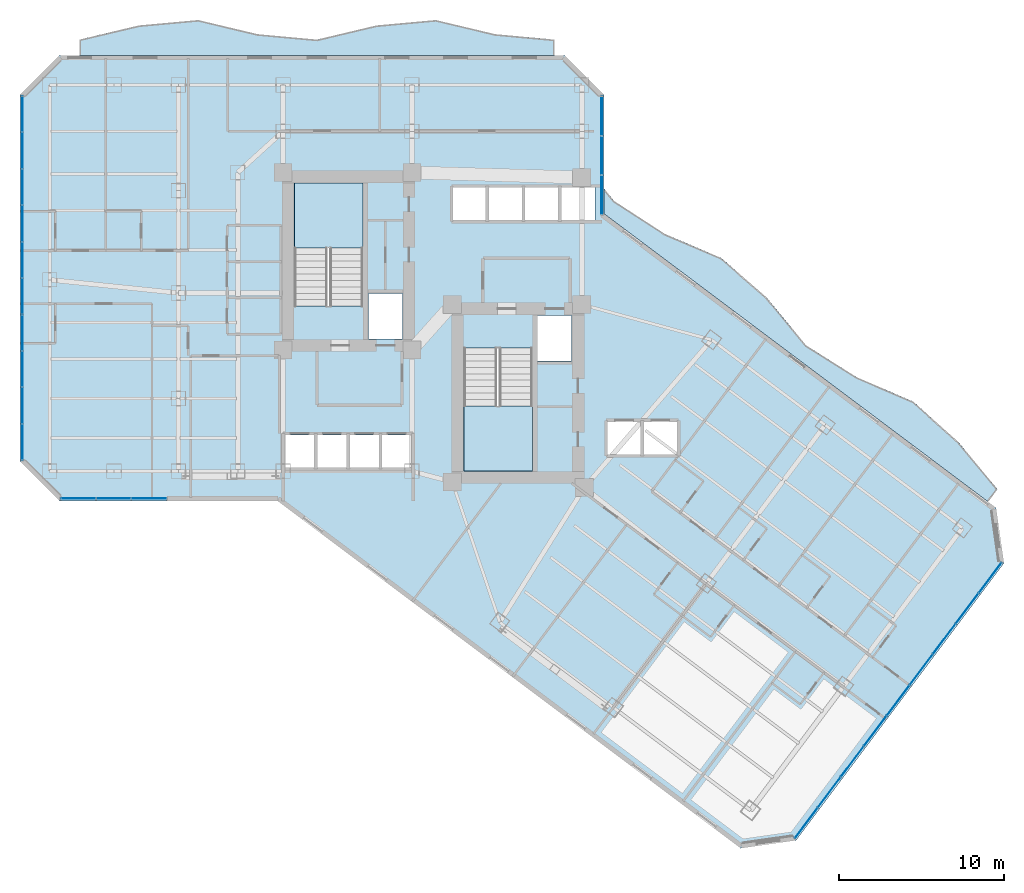
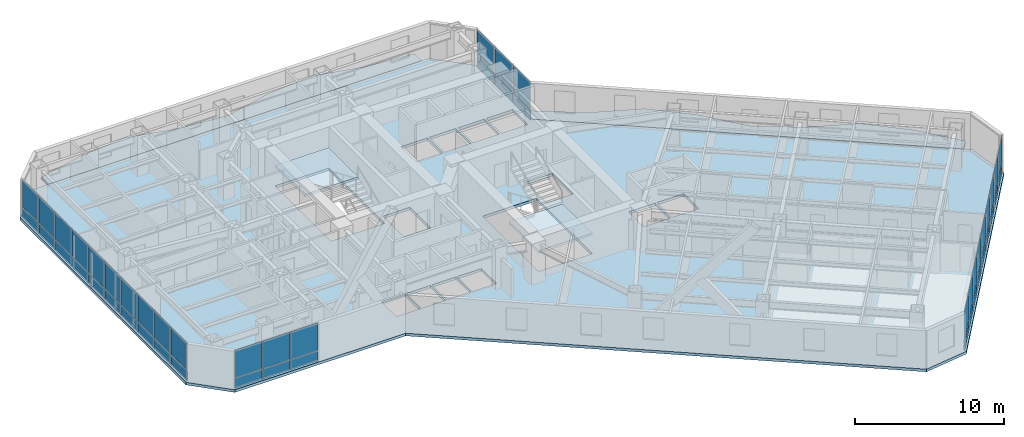
# One storey, part 20 of 30: 50 plates, 5 slabs, 6 elements without a shape of their own.
"""IFC4 building model written with IfcOpenShell, lengths in metres."""

from ifc_helpers import new_model, si_unit, direction, frame, origin, origin_2d, place, context, subcontext, project, spatial, polyline, rectangle, outline, extrude, material, layer, layer_set, type_object, element, aggregate, save


model = new_model("IFC4")

# Units and contexts
model_context = context("Model", 3, precision=1e-05, world=origin(), true_north=direction((0.0, 1.0)))
body_context = subcontext(model_context, "Body", "Model", "MODEL_VIEW")
ifc_project = project(units=[si_unit("LENGTHUNIT", "METRE"), si_unit("AREAUNIT", "SQUARE_METRE"), si_unit("VOLUMEUNIT", "CUBIC_METRE"), si_unit("PLANEANGLEUNIT", "RADIAN"), si_unit("MASSUNIT", "GRAM", prefix="KILO")], contexts=[model_context])

# Site, building, storey
site_placement = place(None, origin())
site = spatial("IfcSite", under=ifc_project, at=site_placement, CompositionType="ELEMENT")
building_placement = place(site_placement, origin())
building = spatial("IfcBuilding", under=site, at=building_placement, Name="Hatsunagi Terrace Concourse", CompositionType="ELEMENT")
storey_placement = place(building_placement, frame((0.0, 0.0, 74.60009765625)))
storey = spatial("IfcBuildingStorey", under=building, at=storey_placement, Name="L19", CompositionType="ELEMENT", Elevation=74.60009765625)

# Curtain wall, plates
ifc_material_1 = material(Name="Anodised Aluminium Alloy 6063-T5", Category="aluminium")
ifc_layer_1 = layer(ifc_material_1, 0.199951171875)
ifc_layer_set_1 = layer_set([ifc_layer_1], Name="HotelFacade_CW02")
curtain_wall_type = type_object("IfcCurtainWallType", Name="HotelFacade_CW02", PredefinedType="NOTDEFINED", material=ifc_layer_set_1)
curtain_wall_1_placement = place(storey_placement, origin())
curtain_wall_1 = element("IfcCurtainWall", 1, at=curtain_wall_1_placement, inside=storey, type_object=curtain_wall_type, Name="Unitised Curtain Wall CW-02 CW-L19-03", PredefinedType="NOTDEFINED")
ifc_material_2 = material(Name="Warm Terracotta Ceramic Spandrel Panel", Category="masonry")
ifc_layer_2 = layer(ifc_material_2, 0.031982421875)
ifc_layer_set_2 = layer_set([ifc_layer_2], Name="CurtainWallSpandrelPanel_32")
plate_type_1 = type_object("IfcPlateType", Name="CurtainWallSpandrelPanel_32", PredefinedType="SHEET", material=ifc_layer_set_2)
plate_1_placement = place(storey_placement, frame((68.39697265625, 18.72998046875, 0.02978515625), z_axis=(0.0, 0.0, 1.0), x_axis=(-0.599969314634, -0.800023013105, 0.0)))
plate_1 = element("IfcPlate", 2, at=plate_1_placement, type_object=plate_type_1, Name="Terracotta Spandrel Panel SPN-01", PredefinedType="SHEET", context=body_context, shape_type="SweptSolid", body=[
    extrude(rectangle(XDim=2.264892578125, YDim=0.031982421875, at=origin_2d()), origin(), (0.0, 0.0, 1.0), 0.7900390625),
])
plate_2_placement = place(storey_placement, frame((67.0048828125, 16.873046875, 0.02978515625), z_axis=(0.0, 0.0, 1.0), x_axis=(-0.599969314634, -0.800023013105, 0.0)))
plate_2 = element("IfcPlate", 3, at=plate_2_placement, type_object=plate_type_1, Name="Terracotta Spandrel Panel SPN-01", PredefinedType="SHEET", context=body_context, shape_type="SweptSolid", body=[
    extrude(rectangle(XDim=2.264892578125, YDim=0.031982421875, at=origin_2d()), origin(), (0.0, 0.0, 1.0), 0.7900390625),
])
plate_3_placement = place(storey_placement, frame((65.612060546875, 15.01708984375, 0.02978515625), z_axis=(0.0, 0.0, 1.0), x_axis=(-0.599969314634, -0.800023013105, 0.0)))
plate_3 = element("IfcPlate", 4, at=plate_3_placement, type_object=plate_type_1, Name="Terracotta Spandrel Panel SPN-01", PredefinedType="SHEET", context=body_context, shape_type="SweptSolid", body=[
    extrude(rectangle(XDim=2.264892578125, YDim=0.031982421875, at=origin_2d()), origin(), (0.0, 0.0, 1.0), 0.7900390625),
])
plate_4_placement = place(storey_placement, frame((64.219970703125, 13.159912109375, 0.02978515625), z_axis=(0.0, 0.0, 1.0), x_axis=(-0.599969314634, -0.800023013105, 0.0)))
plate_4 = element("IfcPlate", 5, at=plate_4_placement, type_object=plate_type_1, Name="Terracotta Spandrel Panel SPN-01", PredefinedType="SHEET", context=body_context, shape_type="SweptSolid", body=[
    extrude(rectangle(XDim=2.264892578125, YDim=0.031982421875, at=origin_2d()), origin(), (0.0, 0.0, 1.0), 0.7900390625),
])
plate_5_placement = place(storey_placement, frame((62.827880859375, 11.303955078125, 0.02978515625), z_axis=(0.0, 0.0, 1.0), x_axis=(-0.599969314634, -0.800023013105, 0.0)))
plate_5 = element("IfcPlate", 6, at=plate_5_placement, type_object=plate_type_1, Name="Terracotta Spandrel Panel SPN-01", PredefinedType="SHEET", context=body_context, shape_type="SweptSolid", body=[
    extrude(rectangle(XDim=2.264892578125, YDim=0.031982421875, at=origin_2d()), origin(), (0.0, 0.0, 1.0), 0.7900390625),
])
plate_6_placement = place(storey_placement, frame((61.43603515625, 9.447998046875, 0.02978515625), z_axis=(0.0, 0.0, 1.0), x_axis=(-0.599969314634, -0.800023013105, 0.0)))
plate_6 = element("IfcPlate", 7, at=plate_6_placement, type_object=plate_type_1, Name="Terracotta Spandrel Panel SPN-01", PredefinedType="SHEET", context=body_context, shape_type="SweptSolid", body=[
    extrude(rectangle(XDim=2.264892578125, YDim=0.031982421875, at=origin_2d()), origin(), (0.0, 0.0, 1.0), 0.7900390625),
])
plate_7_placement = place(storey_placement, frame((60.0439453125, 7.591064453125, 0.02978515625), z_axis=(0.0, 0.0, 1.0), x_axis=(-0.599969314634, -0.800023013105, 0.0)))
plate_7 = element("IfcPlate", 8, at=plate_7_placement, type_object=plate_type_1, Name="Terracotta Spandrel Panel SPN-01", PredefinedType="SHEET", context=body_context, shape_type="SweptSolid", body=[
    extrude(rectangle(XDim=2.264892578125, YDim=0.031982421875, at=origin_2d()), origin(), (0.0, 0.0, 1.0), 0.7900390625),
])
plate_8_placement = place(storey_placement, frame((58.65087890625, 5.735107421875, 0.02978515625), z_axis=(0.0, 0.0, 1.0), x_axis=(-0.599969314634, -0.800023013105, 0.0)))
plate_8 = element("IfcPlate", 9, at=plate_8_placement, type_object=plate_type_1, Name="Terracotta Spandrel Panel SPN-01", PredefinedType="SHEET", context=body_context, shape_type="SweptSolid", body=[
    extrude(rectangle(XDim=2.264892578125, YDim=0.031982421875, at=origin_2d()), origin(), (0.0, 0.0, 1.0), 0.7900390625),
])
plate_9_placement = place(storey_placement, frame((57.259033203125, 3.8779296875, 0.02978515625), z_axis=(0.0, 0.0, 1.0), x_axis=(-0.599969314634, -0.800023013105, 0.0)))
plate_9 = element("IfcPlate", 10, at=plate_9_placement, type_object=plate_type_1, Name="Terracotta Spandrel Panel SPN-01", PredefinedType="SHEET", context=body_context, shape_type="SweptSolid", body=[
    extrude(rectangle(XDim=2.264892578125, YDim=0.031982421875, at=origin_2d()), origin(), (0.0, 0.0, 1.0), 0.7900390625),
])

curtain_wall_2_placement = place(storey_placement, origin())
curtain_wall_2 = element("IfcCurtainWall", 11, at=curtain_wall_2_placement, inside=storey, type_object=curtain_wall_type, Name="Unitised Curtain Wall CW-02 CW-L19-07", PredefinedType="NOTDEFINED")
plate_10_placement = place(storey_placement, frame((17.426025390625, 23.5400390625, 0.02978515625), z_axis=(0.0, 0.0, 1.0), x_axis=(-1.0, 0.0, 0.0)))
plate_10 = element("IfcPlate", 12, at=plate_10_placement, type_object=plate_type_1, Name="Terracotta Spandrel Panel SPN-01", PredefinedType="SHEET", context=body_context, shape_type="SweptSolid", body=[
    extrude(rectangle(XDim=2.092041015625, YDim=0.031982421875, at=origin_2d()), origin(), (0.0, 0.0, 1.0), 0.7900390625),
])
plate_11_placement = place(storey_placement, frame((15.279052734375, 23.5400390625, 0.02978515625), z_axis=(0.0, 0.0, 1.0), x_axis=(-1.0, 0.0, 0.0)))
plate_11 = element("IfcPlate", 13, at=plate_11_placement, type_object=plate_type_1, Name="Terracotta Spandrel Panel SPN-01", PredefinedType="SHEET", context=body_context, shape_type="SweptSolid", body=[
    extrude(rectangle(XDim=2.092041015625, YDim=0.031982421875, at=origin_2d()), origin(), (0.0, 0.0, 1.0), 0.7900390625),
])
plate_12_placement = place(storey_placement, frame((13.132080078125, 23.5400390625, 0.02978515625), z_axis=(0.0, 0.0, 1.0), x_axis=(-1.0, 0.0, 0.0)))
plate_12 = element("IfcPlate", 14, at=plate_12_placement, type_object=plate_type_1, Name="Terracotta Spandrel Panel SPN-01", PredefinedType="SHEET", context=body_context, shape_type="SweptSolid", body=[
    extrude(rectangle(XDim=2.092041015625, YDim=0.031982421875, at=origin_2d()), origin(), (0.0, 0.0, 1.0), 0.7900390625),
])

curtain_wall_3_placement = place(storey_placement, origin())
curtain_wall_3 = element("IfcCurtainWall", 15, at=curtain_wall_3_placement, inside=storey, type_object=curtain_wall_type, Name="Unitised Curtain Wall CW-02 CW-L19-09", PredefinedType="NOTDEFINED")
plate_13_placement = place(storey_placement, frame((9.739990234375, 26.9619140625, 0.02978515625), z_axis=(0.0, 0.0, 1.0), x_axis=(0.0, 1.0, 0.0)))
plate_13 = element("IfcPlate", 16, at=plate_13_placement, type_object=plate_type_1, Name="Terracotta Spandrel Panel SPN-01", PredefinedType="SHEET", context=body_context, shape_type="SweptSolid", body=[
    extrude(rectangle(XDim=2.153076171875, YDim=0.031982421875, at=origin_2d()), origin(), (0.0, 0.0, 1.0), 0.7900390625),
])
plate_14_placement = place(storey_placement, frame((9.739990234375, 29.1708984375, 0.02978515625), z_axis=(0.0, 0.0, 1.0), x_axis=(0.0, 1.0, 0.0)))
plate_14 = element("IfcPlate", 17, at=plate_14_placement, type_object=plate_type_1, Name="Terracotta Spandrel Panel SPN-01", PredefinedType="SHEET", context=body_context, shape_type="SweptSolid", body=[
    extrude(rectangle(XDim=2.153076171875, YDim=0.031982421875, at=origin_2d()), origin(), (0.0, 0.0, 1.0), 0.7900390625),
])
plate_15_placement = place(storey_placement, frame((9.739990234375, 31.37890625, 0.02978515625), z_axis=(0.0, 0.0, 1.0), x_axis=(0.0, 1.0, 0.0)))
plate_15 = element("IfcPlate", 18, at=plate_15_placement, type_object=plate_type_1, Name="Terracotta Spandrel Panel SPN-01", PredefinedType="SHEET", context=body_context, shape_type="SweptSolid", body=[
    extrude(rectangle(XDim=2.153076171875, YDim=0.031982421875, at=origin_2d()), origin(), (0.0, 0.0, 1.0), 0.7900390625),
])
plate_16_placement = place(storey_placement, frame((9.739990234375, 33.5869140625, 0.02978515625), z_axis=(0.0, 0.0, 1.0), x_axis=(0.0, 1.0, 0.0)))
plate_16 = element("IfcPlate", 19, at=plate_16_placement, type_object=plate_type_1, Name="Terracotta Spandrel Panel SPN-01", PredefinedType="SHEET", context=body_context, shape_type="SweptSolid", body=[
    extrude(rectangle(XDim=2.153076171875, YDim=0.031982421875, at=origin_2d()), origin(), (0.0, 0.0, 1.0), 0.7900390625),
])
plate_17_placement = place(storey_placement, frame((9.739990234375, 35.7958984375, 0.02978515625), z_axis=(0.0, 0.0, 1.0), x_axis=(0.0, 1.0, 0.0)))
plate_17 = element("IfcPlate", 20, at=plate_17_placement, type_object=plate_type_1, Name="Terracotta Spandrel Panel SPN-01", PredefinedType="SHEET", context=body_context, shape_type="SweptSolid", body=[
    extrude(rectangle(XDim=2.153076171875, YDim=0.031982421875, at=origin_2d()), origin(), (0.0, 0.0, 1.0), 0.7900390625),
])
plate_18_placement = place(storey_placement, frame((9.739990234375, 38.00390625, 0.02978515625), z_axis=(0.0, 0.0, 1.0), x_axis=(0.0, 1.0, 0.0)))
plate_18 = element("IfcPlate", 21, at=plate_18_placement, type_object=plate_type_1, Name="Terracotta Spandrel Panel SPN-01", PredefinedType="SHEET", context=body_context, shape_type="SweptSolid", body=[
    extrude(rectangle(XDim=2.153076171875, YDim=0.031982421875, at=origin_2d()), origin(), (0.0, 0.0, 1.0), 0.7900390625),
])
plate_19_placement = place(storey_placement, frame((9.739990234375, 40.212890625, 0.02978515625), z_axis=(0.0, 0.0, 1.0), x_axis=(0.0, 1.0, 0.0)))
plate_19 = element("IfcPlate", 22, at=plate_19_placement, type_object=plate_type_1, Name="Terracotta Spandrel Panel SPN-01", PredefinedType="SHEET", context=body_context, shape_type="SweptSolid", body=[
    extrude(rectangle(XDim=2.153076171875, YDim=0.031982421875, at=origin_2d()), origin(), (0.0, 0.0, 1.0), 0.7900390625),
])
plate_20_placement = place(storey_placement, frame((9.739990234375, 42.4208984375, 0.02978515625), z_axis=(0.0, 0.0, 1.0), x_axis=(0.0, 1.0, 0.0)))
plate_20 = element("IfcPlate", 23, at=plate_20_placement, type_object=plate_type_1, Name="Terracotta Spandrel Panel SPN-01", PredefinedType="SHEET", context=body_context, shape_type="SweptSolid", body=[
    extrude(rectangle(XDim=2.153076171875, YDim=0.031982421875, at=origin_2d()), origin(), (0.0, 0.0, 1.0), 0.7900390625),
])
plate_21_placement = place(storey_placement, frame((9.739990234375, 44.62890625, 0.02978515625), z_axis=(0.0, 0.0, 1.0), x_axis=(0.0, 1.0, 0.0)))
plate_21 = element("IfcPlate", 24, at=plate_21_placement, type_object=plate_type_1, Name="Terracotta Spandrel Panel SPN-01", PredefinedType="SHEET", context=body_context, shape_type="SweptSolid", body=[
    extrude(rectangle(XDim=2.153076171875, YDim=0.031982421875, at=origin_2d()), origin(), (0.0, 0.0, 1.0), 0.7900390625),
])
plate_22_placement = place(storey_placement, frame((9.739990234375, 46.837890625, 0.02978515625), z_axis=(0.0, 0.0, 1.0), x_axis=(0.0, 1.0, 0.0)))
plate_22 = element("IfcPlate", 25, at=plate_22_placement, type_object=plate_type_1, Name="Terracotta Spandrel Panel SPN-01", PredefinedType="SHEET", context=body_context, shape_type="SweptSolid", body=[
    extrude(rectangle(XDim=2.153076171875, YDim=0.031982421875, at=origin_2d()), origin(), (0.0, 0.0, 1.0), 0.7900390625),
])

curtain_wall_4_placement = place(storey_placement, origin())
curtain_wall_4 = element("IfcCurtainWall", 26, at=curtain_wall_4_placement, inside=storey, type_object=curtain_wall_type, Name="Unitised Curtain Wall CW-02 CW-L19-13", PredefinedType="NOTDEFINED")
plate_23_placement = place(storey_placement, frame((44.860107421875, 46.739990234375, 0.02978515625), z_axis=(0.0, 0.0, 1.0), x_axis=(0.0, -1.0, 0.0)))
plate_23 = element("IfcPlate", 27, at=plate_23_placement, type_object=plate_type_1, Name="Terracotta Spandrel Panel SPN-01", PredefinedType="SHEET", context=body_context, shape_type="SweptSolid", body=[
    extrude(rectangle(XDim=2.34912109375, YDim=0.031982421875, at=origin_2d()), origin(), (0.0, 0.0, 1.0), 0.7900390625),
])
plate_24_placement = place(storey_placement, frame((44.860107421875, 44.3359375, 0.02978515625), z_axis=(0.0, 0.0, 1.0), x_axis=(0.0, -1.0, 0.0)))
plate_24 = element("IfcPlate", 28, at=plate_24_placement, type_object=plate_type_1, Name="Terracotta Spandrel Panel SPN-01", PredefinedType="SHEET", context=body_context, shape_type="SweptSolid", body=[
    extrude(rectangle(XDim=2.34912109375, YDim=0.031982421875, at=origin_2d()), origin(), (0.0, 0.0, 1.0), 0.7900390625),
])
plate_25_placement = place(storey_placement, frame((44.860107421875, 41.931884765625, 0.02978515625), z_axis=(0.0, 0.0, 1.0), x_axis=(0.0, -1.0, 0.0)))
plate_25 = element("IfcPlate", 29, at=plate_25_placement, type_object=plate_type_1, Name="Terracotta Spandrel Panel SPN-01", PredefinedType="SHEET", context=body_context, shape_type="SweptSolid", body=[
    extrude(rectangle(XDim=2.34912109375, YDim=0.031982421875, at=origin_2d()), origin(), (0.0, 0.0, 1.0), 0.7900390625),
])

# Plate
ifc_material_3 = material(Name="Low-E Double Insulating Glass 28mm", Category="glass")
ifc_layer_3 = layer(ifc_material_3, 0.028076171875)
ifc_layer_set_3 = layer_set([ifc_layer_3], Name="CurtainWallVisionGlass_28")
plate_type_2 = type_object("IfcPlateType", Name="CurtainWallVisionGlass_28", PredefinedType="CURTAIN_PANEL", material=ifc_layer_set_3)
plate_26_placement = place(storey_placement, frame((68.39697265625, 18.72998046875, 0.8798828125), z_axis=(0.0, 0.0, 1.0), x_axis=(-0.599969314634, -0.800023013105, 0.0)))
plate_26 = element("IfcPlate", 30, at=plate_26_placement, type_object=plate_type_2, Name="Low-E Vision Glass Panel GLZ-01", PredefinedType="CURTAIN_PANEL", context=body_context, shape_type="SweptSolid", body=[
    extrude(rectangle(XDim=2.264892578125, YDim=0.028076171875, at=origin_2d()), origin(), (0.0, 0.0, 1.0), 2.219970703125),
])

plate_27_placement = place(storey_placement, frame((67.0048828125, 16.873046875, 0.8798828125), z_axis=(0.0, 0.0, 1.0), x_axis=(-0.599969314634, -0.800023013105, 0.0)))
plate_27 = element("IfcPlate", 31, at=plate_27_placement, type_object=plate_type_2, Name="Low-E Vision Glass Panel GLZ-01", PredefinedType="CURTAIN_PANEL", context=body_context, shape_type="SweptSolid", body=[
    extrude(rectangle(XDim=2.264892578125, YDim=0.028076171875, at=origin_2d()), origin(), (0.0, 0.0, 1.0), 2.219970703125),
])

plate_28_placement = place(storey_placement, frame((65.612060546875, 15.01708984375, 0.8798828125), z_axis=(0.0, 0.0, 1.0), x_axis=(-0.599969314634, -0.800023013105, 0.0)))
plate_28 = element("IfcPlate", 32, at=plate_28_placement, type_object=plate_type_2, Name="Low-E Vision Glass Panel GLZ-01", PredefinedType="CURTAIN_PANEL", context=body_context, shape_type="SweptSolid", body=[
    extrude(rectangle(XDim=2.264892578125, YDim=0.028076171875, at=origin_2d()), origin(), (0.0, 0.0, 1.0), 2.219970703125),
])

plate_29_placement = place(storey_placement, frame((64.219970703125, 13.159912109375, 0.8798828125), z_axis=(0.0, 0.0, 1.0), x_axis=(-0.599969314634, -0.800023013105, 0.0)))
plate_29 = element("IfcPlate", 33, at=plate_29_placement, type_object=plate_type_2, Name="Low-E Vision Glass Panel GLZ-01", PredefinedType="CURTAIN_PANEL", context=body_context, shape_type="SweptSolid", body=[
    extrude(rectangle(XDim=2.264892578125, YDim=0.028076171875, at=origin_2d()), origin(), (0.0, 0.0, 1.0), 2.219970703125),
])

plate_30_placement = place(storey_placement, frame((62.827880859375, 11.303955078125, 0.8798828125), z_axis=(0.0, 0.0, 1.0), x_axis=(-0.599969314634, -0.800023013105, 0.0)))
plate_30 = element("IfcPlate", 34, at=plate_30_placement, type_object=plate_type_2, Name="Low-E Vision Glass Panel GLZ-01", PredefinedType="CURTAIN_PANEL", context=body_context, shape_type="SweptSolid", body=[
    extrude(rectangle(XDim=2.264892578125, YDim=0.028076171875, at=origin_2d()), origin(), (0.0, 0.0, 1.0), 2.219970703125),
])

plate_31_placement = place(storey_placement, frame((61.43603515625, 9.447998046875, 0.8798828125), z_axis=(0.0, 0.0, 1.0), x_axis=(-0.599969314634, -0.800023013105, 0.0)))
plate_31 = element("IfcPlate", 35, at=plate_31_placement, type_object=plate_type_2, Name="Low-E Vision Glass Panel GLZ-01", PredefinedType="CURTAIN_PANEL", context=body_context, shape_type="SweptSolid", body=[
    extrude(rectangle(XDim=2.264892578125, YDim=0.028076171875, at=origin_2d()), origin(), (0.0, 0.0, 1.0), 2.219970703125),
])

plate_32_placement = place(storey_placement, frame((60.0439453125, 7.591064453125, 0.8798828125), z_axis=(0.0, 0.0, 1.0), x_axis=(-0.599969314634, -0.800023013105, 0.0)))
plate_32 = element("IfcPlate", 36, at=plate_32_placement, type_object=plate_type_2, Name="Low-E Vision Glass Panel GLZ-01", PredefinedType="CURTAIN_PANEL", context=body_context, shape_type="SweptSolid", body=[
    extrude(rectangle(XDim=2.264892578125, YDim=0.028076171875, at=origin_2d()), origin(), (0.0, 0.0, 1.0), 2.219970703125),
])

plate_33_placement = place(storey_placement, frame((58.65087890625, 5.735107421875, 0.8798828125), z_axis=(0.0, 0.0, 1.0), x_axis=(-0.599969314634, -0.800023013105, 0.0)))
plate_33 = element("IfcPlate", 37, at=plate_33_placement, type_object=plate_type_2, Name="Low-E Vision Glass Panel GLZ-01", PredefinedType="CURTAIN_PANEL", context=body_context, shape_type="SweptSolid", body=[
    extrude(rectangle(XDim=2.264892578125, YDim=0.028076171875, at=origin_2d()), origin(), (0.0, 0.0, 1.0), 2.219970703125),
])

plate_34_placement = place(storey_placement, frame((57.259033203125, 3.8779296875, 0.8798828125), z_axis=(0.0, 0.0, 1.0), x_axis=(-0.599969314634, -0.800023013105, 0.0)))
plate_34 = element("IfcPlate", 38, at=plate_34_placement, type_object=plate_type_2, Name="Low-E Vision Glass Panel GLZ-01", PredefinedType="CURTAIN_PANEL", context=body_context, shape_type="SweptSolid", body=[
    extrude(rectangle(XDim=2.264892578125, YDim=0.028076171875, at=origin_2d()), origin(), (0.0, 0.0, 1.0), 2.219970703125),
])

aggregate(curtain_wall_1, [plate_1, plate_26, plate_2, plate_27, plate_3, plate_28, plate_4, plate_29, plate_5, plate_30, plate_6, plate_31, plate_7, plate_32, plate_8, plate_33, plate_9, plate_34])

plate_35_placement = place(storey_placement, frame((17.426025390625, 23.5400390625, 0.8798828125), z_axis=(0.0, 0.0, 1.0), x_axis=(-1.0, 0.0, 0.0)))
plate_35 = element("IfcPlate", 39, at=plate_35_placement, type_object=plate_type_2, Name="Low-E Vision Glass Panel GLZ-01", PredefinedType="CURTAIN_PANEL", context=body_context, shape_type="SweptSolid", body=[
    extrude(rectangle(XDim=2.092041015625, YDim=0.028076171875, at=origin_2d()), origin(), (0.0, 0.0, 1.0), 2.219970703125),
])

plate_36_placement = place(storey_placement, frame((15.279052734375, 23.5400390625, 0.8798828125), z_axis=(0.0, 0.0, 1.0), x_axis=(-1.0, 0.0, 0.0)))
plate_36 = element("IfcPlate", 40, at=plate_36_placement, type_object=plate_type_2, Name="Low-E Vision Glass Panel GLZ-01", PredefinedType="CURTAIN_PANEL", context=body_context, shape_type="SweptSolid", body=[
    extrude(rectangle(XDim=2.092041015625, YDim=0.028076171875, at=origin_2d()), origin(), (0.0, 0.0, 1.0), 2.219970703125),
])

plate_37_placement = place(storey_placement, frame((13.132080078125, 23.5400390625, 0.8798828125), z_axis=(0.0, 0.0, 1.0), x_axis=(-1.0, 0.0, 0.0)))
plate_37 = element("IfcPlate", 41, at=plate_37_placement, type_object=plate_type_2, Name="Low-E Vision Glass Panel GLZ-01", PredefinedType="CURTAIN_PANEL", context=body_context, shape_type="SweptSolid", body=[
    extrude(rectangle(XDim=2.092041015625, YDim=0.028076171875, at=origin_2d()), origin(), (0.0, 0.0, 1.0), 2.219970703125),
])

aggregate(curtain_wall_2, [plate_10, plate_35, plate_11, plate_36, plate_12, plate_37])

plate_38_placement = place(storey_placement, frame((9.739990234375, 26.9619140625, 0.8798828125), z_axis=(0.0, 0.0, 1.0), x_axis=(0.0, 1.0, 0.0)))
plate_38 = element("IfcPlate", 42, at=plate_38_placement, type_object=plate_type_2, Name="Low-E Vision Glass Panel GLZ-01", PredefinedType="CURTAIN_PANEL", context=body_context, shape_type="SweptSolid", body=[
    extrude(rectangle(XDim=2.153076171875, YDim=0.028076171875, at=origin_2d()), origin(), (0.0, 0.0, 1.0), 2.219970703125),
])

plate_39_placement = place(storey_placement, frame((9.739990234375, 29.1708984375, 0.8798828125), z_axis=(0.0, 0.0, 1.0), x_axis=(0.0, 1.0, 0.0)))
plate_39 = element("IfcPlate", 43, at=plate_39_placement, type_object=plate_type_2, Name="Low-E Vision Glass Panel GLZ-01", PredefinedType="CURTAIN_PANEL", context=body_context, shape_type="SweptSolid", body=[
    extrude(rectangle(XDim=2.153076171875, YDim=0.028076171875, at=origin_2d()), origin(), (0.0, 0.0, 1.0), 2.219970703125),
])

plate_40_placement = place(storey_placement, frame((9.739990234375, 31.37890625, 0.8798828125), z_axis=(0.0, 0.0, 1.0), x_axis=(0.0, 1.0, 0.0)))
plate_40 = element("IfcPlate", 44, at=plate_40_placement, type_object=plate_type_2, Name="Low-E Vision Glass Panel GLZ-01", PredefinedType="CURTAIN_PANEL", context=body_context, shape_type="SweptSolid", body=[
    extrude(rectangle(XDim=2.153076171875, YDim=0.028076171875, at=origin_2d()), origin(), (0.0, 0.0, 1.0), 2.219970703125),
])

plate_41_placement = place(storey_placement, frame((9.739990234375, 33.5869140625, 0.8798828125), z_axis=(0.0, 0.0, 1.0), x_axis=(0.0, 1.0, 0.0)))
plate_41 = element("IfcPlate", 45, at=plate_41_placement, type_object=plate_type_2, Name="Low-E Vision Glass Panel GLZ-01", PredefinedType="CURTAIN_PANEL", context=body_context, shape_type="SweptSolid", body=[
    extrude(rectangle(XDim=2.153076171875, YDim=0.028076171875, at=origin_2d()), origin(), (0.0, 0.0, 1.0), 2.219970703125),
])

plate_42_placement = place(storey_placement, frame((9.739990234375, 35.7958984375, 0.8798828125), z_axis=(0.0, 0.0, 1.0), x_axis=(0.0, 1.0, 0.0)))
plate_42 = element("IfcPlate", 46, at=plate_42_placement, type_object=plate_type_2, Name="Low-E Vision Glass Panel GLZ-01", PredefinedType="CURTAIN_PANEL", context=body_context, shape_type="SweptSolid", body=[
    extrude(rectangle(XDim=2.153076171875, YDim=0.028076171875, at=origin_2d()), origin(), (0.0, 0.0, 1.0), 2.219970703125),
])

plate_43_placement = place(storey_placement, frame((9.739990234375, 38.00390625, 0.8798828125), z_axis=(0.0, 0.0, 1.0), x_axis=(0.0, 1.0, 0.0)))
plate_43 = element("IfcPlate", 47, at=plate_43_placement, type_object=plate_type_2, Name="Low-E Vision Glass Panel GLZ-01", PredefinedType="CURTAIN_PANEL", context=body_context, shape_type="SweptSolid", body=[
    extrude(rectangle(XDim=2.153076171875, YDim=0.028076171875, at=origin_2d()), origin(), (0.0, 0.0, 1.0), 2.219970703125),
])

plate_44_placement = place(storey_placement, frame((9.739990234375, 40.212890625, 0.8798828125), z_axis=(0.0, 0.0, 1.0), x_axis=(0.0, 1.0, 0.0)))
plate_44 = element("IfcPlate", 48, at=plate_44_placement, type_object=plate_type_2, Name="Low-E Vision Glass Panel GLZ-01", PredefinedType="CURTAIN_PANEL", context=body_context, shape_type="SweptSolid", body=[
    extrude(rectangle(XDim=2.153076171875, YDim=0.028076171875, at=origin_2d()), origin(), (0.0, 0.0, 1.0), 2.219970703125),
])

plate_45_placement = place(storey_placement, frame((9.739990234375, 42.4208984375, 0.8798828125), z_axis=(0.0, 0.0, 1.0), x_axis=(0.0, 1.0, 0.0)))
plate_45 = element("IfcPlate", 49, at=plate_45_placement, type_object=plate_type_2, Name="Low-E Vision Glass Panel GLZ-01", PredefinedType="CURTAIN_PANEL", context=body_context, shape_type="SweptSolid", body=[
    extrude(rectangle(XDim=2.153076171875, YDim=0.028076171875, at=origin_2d()), origin(), (0.0, 0.0, 1.0), 2.219970703125),
])

plate_46_placement = place(storey_placement, frame((9.739990234375, 44.62890625, 0.8798828125), z_axis=(0.0, 0.0, 1.0), x_axis=(0.0, 1.0, 0.0)))
plate_46 = element("IfcPlate", 50, at=plate_46_placement, type_object=plate_type_2, Name="Low-E Vision Glass Panel GLZ-01", PredefinedType="CURTAIN_PANEL", context=body_context, shape_type="SweptSolid", body=[
    extrude(rectangle(XDim=2.153076171875, YDim=0.028076171875, at=origin_2d()), origin(), (0.0, 0.0, 1.0), 2.219970703125),
])

plate_47_placement = place(storey_placement, frame((9.739990234375, 46.837890625, 0.8798828125), z_axis=(0.0, 0.0, 1.0), x_axis=(0.0, 1.0, 0.0)))
plate_47 = element("IfcPlate", 51, at=plate_47_placement, type_object=plate_type_2, Name="Low-E Vision Glass Panel GLZ-01", PredefinedType="CURTAIN_PANEL", context=body_context, shape_type="SweptSolid", body=[
    extrude(rectangle(XDim=2.153076171875, YDim=0.028076171875, at=origin_2d()), origin(), (0.0, 0.0, 1.0), 2.219970703125),
])

aggregate(curtain_wall_3, [plate_13, plate_38, plate_14, plate_39, plate_15, plate_40, plate_16, plate_41, plate_17, plate_42, plate_18, plate_43, plate_19, plate_44, plate_20, plate_45, plate_21, plate_46, plate_22, plate_47])

plate_48_placement = place(storey_placement, frame((44.860107421875, 46.739990234375, 0.8798828125), z_axis=(0.0, 0.0, 1.0), x_axis=(0.0, -1.0, 0.0)))
plate_48 = element("IfcPlate", 52, at=plate_48_placement, type_object=plate_type_2, Name="Low-E Vision Glass Panel GLZ-01", PredefinedType="CURTAIN_PANEL", context=body_context, shape_type="SweptSolid", body=[
    extrude(rectangle(XDim=2.34912109375, YDim=0.028076171875, at=origin_2d()), origin(), (0.0, 0.0, 1.0), 2.219970703125),
])

plate_49_placement = place(storey_placement, frame((44.860107421875, 44.3359375, 0.8798828125), z_axis=(0.0, 0.0, 1.0), x_axis=(0.0, -1.0, 0.0)))
plate_49 = element("IfcPlate", 53, at=plate_49_placement, type_object=plate_type_2, Name="Low-E Vision Glass Panel GLZ-01", PredefinedType="CURTAIN_PANEL", context=body_context, shape_type="SweptSolid", body=[
    extrude(rectangle(XDim=2.34912109375, YDim=0.028076171875, at=origin_2d()), origin(), (0.0, 0.0, 1.0), 2.219970703125),
])

plate_50_placement = place(storey_placement, frame((44.860107421875, 41.931884765625, 0.8798828125), z_axis=(0.0, 0.0, 1.0), x_axis=(0.0, -1.0, 0.0)))
plate_50 = element("IfcPlate", 54, at=plate_50_placement, type_object=plate_type_2, Name="Low-E Vision Glass Panel GLZ-01", PredefinedType="CURTAIN_PANEL", context=body_context, shape_type="SweptSolid", body=[
    extrude(rectangle(XDim=2.34912109375, YDim=0.028076171875, at=origin_2d()), origin(), (0.0, 0.0, 1.0), 2.219970703125),
])

aggregate(curtain_wall_4, [plate_23, plate_48, plate_24, plate_49, plate_25, plate_50])

# Stair, slab
ifc_material_4 = material(Name="Concrete Fc42", Category="concrete")
stair_type = type_object("IfcStairType", Name="DoglegExitStair_Tower2000_20R_168", PredefinedType="HALF_TURN_STAIR", material=ifc_material_4)
stair_1_placement = place(storey_placement, origin())
stair_1 = element("IfcStair", 55, at=stair_1_placement, inside=storey, type_object=stair_type, Name="L19 Core A Protected Exit Stair ST-A", PredefinedType="HALF_TURN_STAIR")
ifc_material_5 = material(Name="Concrete Fc42", Category="concrete")
ifc_layer_4 = layer(ifc_material_5, 0.199951171875)
ifc_layer_set_4 = layer_set([ifc_layer_4], Name="DoglegStairLanding_Tower2000")
slab_type_1 = type_object("IfcSlabType", Name="DoglegStairLanding_Tower2000", PredefinedType="LANDING", material=ifc_layer_set_4)
slab_1_placement = place(storey_placement, frame((0.0, 0.0, 1.474853515625)))
slab_1 = element("IfcSlab", 56, at=slab_1_placement, type_object=slab_type_1, Name="ST-A landing 1", PredefinedType="LANDING", context=body_context, shape_type="SweptSolid", body=[
    extrude(outline(polyline([(30.3798828125, 38.7099609375), (30.3798828125, 42.659912109375), (26.22998046875, 42.659912109375), (26.22998046875, 38.7099609375), (30.3798828125, 38.7099609375)])), origin(), (0.0, 0.0, 1.0), 0.199951171875),
])
aggregate(stair_1, [slab_1])

stair_2_placement = place(storey_placement, origin())
stair_2 = element("IfcStair", 57, at=stair_2_placement, inside=storey, type_object=stair_type, Name="L19 Core B Protected Exit Stair ST-B", PredefinedType="HALF_TURN_STAIR")
slab_2_placement = place(storey_placement, frame((0.0, 0.0, 1.474853515625)))
slab_2 = element("IfcSlab", 58, at=slab_2_placement, type_object=slab_type_1, Name="ST-B landing 1", PredefinedType="LANDING", context=body_context, shape_type="SweptSolid", body=[
    extrude(outline(polyline([(36.5, 29.14990234375), (36.5, 25.199951171875), (40.64990234375, 25.199951171875), (40.64990234375, 29.14990234375), (36.5, 29.14990234375)])), origin(), (0.0, 0.0, 1.0), 0.199951171875),
])
aggregate(stair_2, [slab_2])

# Slabs
ifc_material_6 = material(Name="Concrete Fc42", Category="concrete")
ifc_layer_5 = layer(ifc_material_6, 0.199951171875)
ifc_layer_set_5 = layer_set([ifc_layer_5], Name="EngawaBalconySlab_Fc42_200")
slab_type_2 = type_object("IfcSlabType", Name="EngawaBalconySlab_Fc42_200", PredefinedType="FLOOR", material=ifc_layer_set_5)
slab_3_placement = place(storey_placement, frame((0.0, 0.0, -0.2001953125)))
element("IfcSlab", 59, at=slab_3_placement, inside=storey, type_object=slab_type_2, Name="Engawa Balcony Slab BAL-L19-BN", PredefinedType="FLOOR", context=body_context, shape_type="SweptSolid", body=[
    extrude(outline(polyline([(13.199951171875, 51.35595703125), (13.199951171875, 50.39990234375), (42.0, 50.39990234375), (42.0, 51.35595703125), (38.39990234375, 51.68603515625), (34.800048828125, 52.5439453125), (31.199951171875, 52.214111328125), (27.60009765625, 51.35595703125), (24.0, 51.68603515625), (20.39990234375, 52.5439453125), (16.800048828125, 52.214111328125), (13.199951171875, 51.35595703125)])), origin(), (0.0, 0.0, 1.0), 0.2001953125),
])
slab_4_placement = place(storey_placement, frame((0.0, 0.0, -0.2001953125)))
element("IfcSlab", 60, at=slab_4_placement, inside=storey, type_object=slab_type_2, Name="Engawa Balcony Slab BAL-L19-BSE", PredefinedType="FLOOR", context=body_context, shape_type="SweptSolid", body=[
    extrude(outline(polyline([(45.618896484375, 41.570068359375), (44.99609375, 42.33203125), (44.99609375, 40.802978515625), (68.280029296875, 23.340087890625), (68.85205078125, 24.10302734375), (66.464111328125, 26.97412109375), (63.75, 29.410888671875), (60.319091796875, 30.89208984375), (57.235107421875, 32.8359375), (54.85791015625, 35.720947265625), (52.113037109375, 38.116943359375), (48.672119140625, 39.5849609375), (45.618896484375, 41.570068359375)])), origin(), (0.0, 0.0, 1.0), 0.2001953125),
])
ifc_material_7 = material(Name="Concrete Fc42", Category="concrete")
ifc_layer_6 = layer(ifc_material_7, 0.219970703125)
ifc_layer_set_6 = layer_set([ifc_layer_6], Name="HotelFloorSlab_Fc42_220")
slab_type_3 = type_object("IfcSlabType", Name="HotelFloorSlab_Fc42_220", PredefinedType="FLOOR", material=ifc_layer_set_6)
slab_5_placement = place(storey_placement, frame((0.0, 0.0, -0.22021484375)))
element("IfcSlab", 61, at=slab_5_placement, inside=storey, type_object=slab_type_3, Name="Floor Slab SL-220 L19", PredefinedType="FLOOR", context=body_context, shape_type="SweptSolid", body=[
    extrude(outline(polyline([(45.0, 40.800048828125), (45.0, 48.0), (42.60009765625, 50.39990234375), (12.0, 50.39990234375), (9.60009765625, 48.0), (9.60009765625, 25.800048828125), (12.0, 23.39990234375), (25.199951171875, 23.39990234375), (53.280029296875, 2.340087890625), (56.639892578125, 2.820068359375), (69.239990234375, 19.6201171875), (68.760009765625, 22.97998046875), (45.0, 40.800048828125)]), holes=[polyline([(26.22998046875, 35.205078125), (30.3798828125, 35.205078125), (30.3798828125, 42.659912109375), (26.22998046875, 42.659912109375), (26.22998046875, 35.205078125)]), polyline([(36.5, 25.199951171875), (40.64990234375, 25.199951171875), (40.64990234375, 32.655029296875), (36.5, 32.655029296875), (36.5, 25.199951171875)]), polyline([(30.719970703125, 33.219970703125), (32.780029296875, 33.219970703125), (32.780029296875, 35.97998046875), (30.719970703125, 35.97998046875), (30.719970703125, 33.219970703125)]), polyline([(40.97998046875, 31.8798828125), (43.02001953125, 31.8798828125), (43.02001953125, 34.639892578125), (40.97998046875, 34.639892578125), (40.97998046875, 31.8798828125)]), polyline([(25.6201171875, 25.39990234375), (27.47998046875, 25.39990234375), (27.47998046875, 27.39990234375), (25.6201171875, 27.39990234375), (25.6201171875, 25.39990234375)]), polyline([(27.580078125, 25.39990234375), (29.43994140625, 25.39990234375), (29.43994140625, 27.39990234375), (27.580078125, 27.39990234375), (27.580078125, 25.39990234375)]), polyline([(29.5400390625, 25.39990234375), (31.39990234375, 25.39990234375), (31.39990234375, 27.39990234375), (29.5400390625, 27.39990234375), (29.5400390625, 25.39990234375)]), polyline([(31.5, 25.39990234375), (33.360107421875, 25.39990234375), (33.360107421875, 27.39990234375), (31.5, 27.39990234375), (31.5, 25.39990234375)]), polyline([(35.800048828125, 40.39990234375), (37.85009765625, 40.39990234375), (37.85009765625, 42.39990234375), (35.800048828125, 42.39990234375), (35.800048828125, 40.39990234375)]), polyline([(38.0, 40.39990234375), (40.050048828125, 40.39990234375), (40.050048828125, 42.39990234375), (38.0, 42.39990234375), (38.0, 40.39990234375)]), polyline([(40.199951171875, 40.39990234375), (42.25, 40.39990234375), (42.25, 42.39990234375), (40.199951171875, 42.39990234375), (40.199951171875, 40.39990234375)]), polyline([(42.39990234375, 40.39990234375), (44.449951171875, 40.39990234375), (44.449951171875, 42.39990234375), (42.39990234375, 42.39990234375), (42.39990234375, 40.39990234375)]), polyline([(45.199951171875, 26.199951171875), (47.25, 26.199951171875), (47.25, 28.199951171875), (45.199951171875, 28.199951171875), (45.199951171875, 26.199951171875)]), polyline([(47.39990234375, 26.199951171875), (49.449951171875, 26.199951171875), (49.449951171875, 28.199951171875), (47.39990234375, 28.199951171875), (47.39990234375, 26.199951171875)])]), origin(), (0.0, 0.0, 1.0), 0.22021484375),
])

save(model, "model.ifc")
